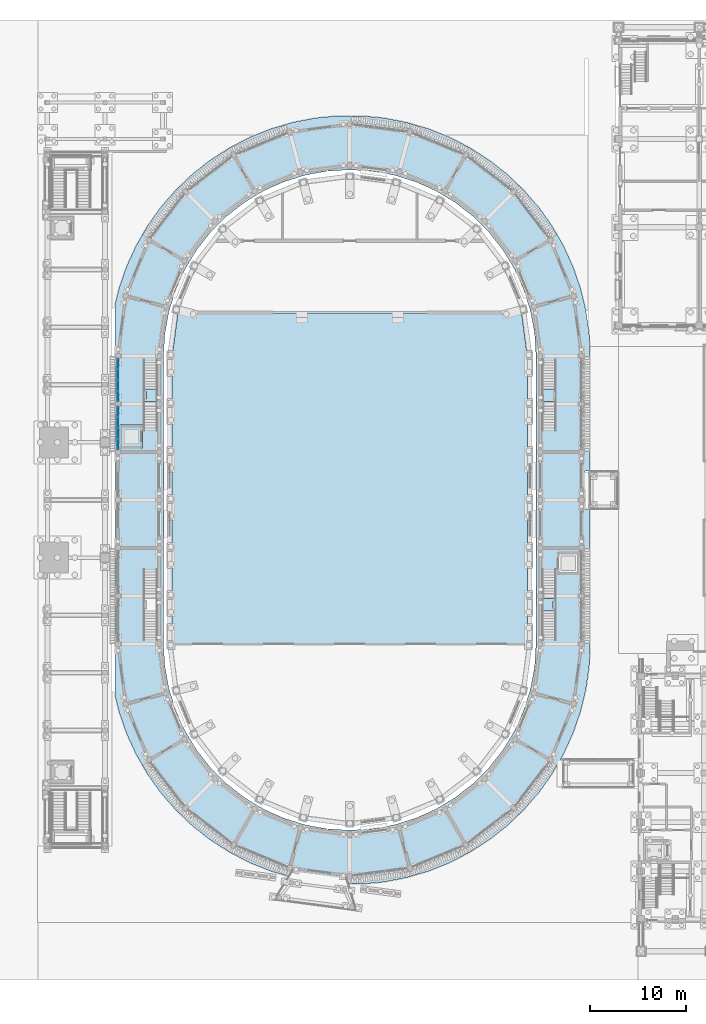
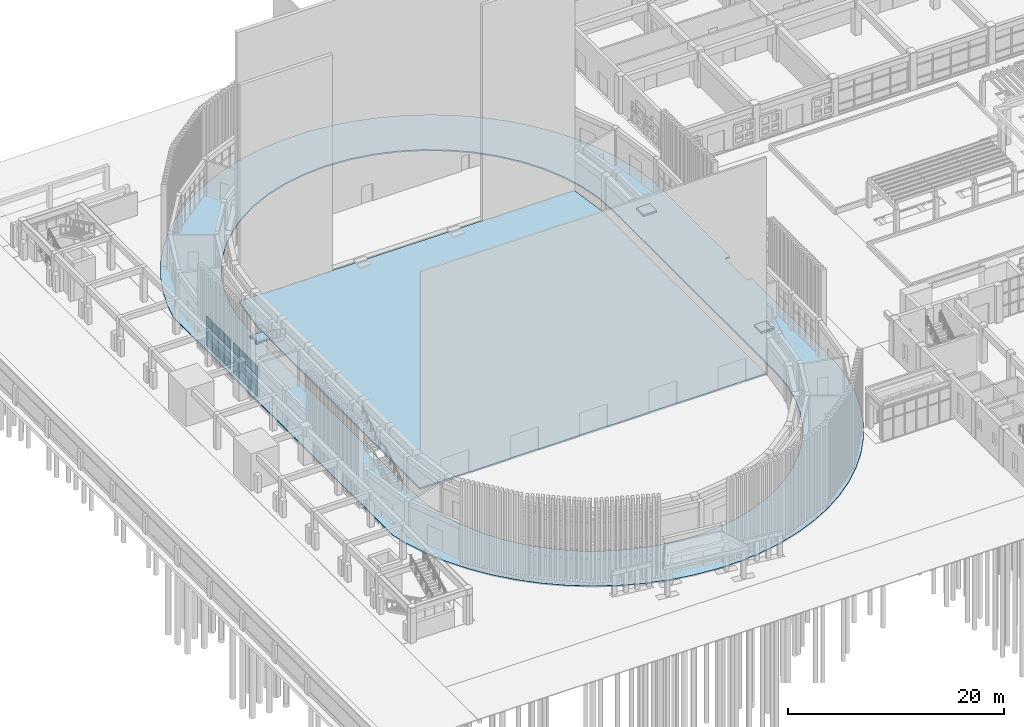
# One storey, part 49 of 112: 16 plates, 6 slabs, 5 elements without a shape of their own.
"""IFC4 building model written with IfcOpenShell, lengths in metres."""

from ifc_helpers import new_model, si_unit, direction, frame, origin, origin_2d, place, context, subcontext, project, spatial, polyline, rectangle, outline, extrude, material, layer, layer_set, type_object, element, aggregate, save


model = new_model("IFC4")

# Units and contexts
model_context = context("Model", 3, precision=1e-05, world=origin(), true_north=direction((0.0, 1.0)))
body_context = subcontext(model_context, "Body", "Model", "MODEL_VIEW")
ifc_project = project(units=[si_unit("LENGTHUNIT", "METRE"), si_unit("AREAUNIT", "SQUARE_METRE"), si_unit("VOLUMEUNIT", "CUBIC_METRE"), si_unit("PLANEANGLEUNIT", "RADIAN"), si_unit("MASSUNIT", "GRAM", prefix="KILO")], contexts=[model_context])

# Site, building, storey
site_placement = place(None, origin())
site = spatial("IfcSite", under=ifc_project, at=site_placement, CompositionType="ELEMENT")
building_placement = place(site_placement, origin())
building = spatial("IfcBuilding", under=site, at=building_placement, Name="Wasatch Bagh Community Centre", CompositionType="ELEMENT")
storey_placement = place(building_placement, origin())
storey = spatial("IfcBuildingStorey", under=building, at=storey_placement, Name="L00", CompositionType="ELEMENT", Elevation=0.0)

# Curtain wall, plates
ifc_material_1 = material(Name="Aluminium curtain wall frame with low-iron insulated glass", Category="aluminium")
ifc_layer_1 = layer(ifc_material_1, 0.14990234375)
ifc_layer_set_1 = layer_set([ifc_layer_1], Name="Aluminium curtain wall frame with low-iron insulated glass")
curtain_wall_type = type_object("IfcCurtainWallType", Name="Drum curtain wall DR-CW3", PredefinedType="NOTDEFINED", material=ifc_layer_set_1)
curtain_wall_1_placement = place(storey_placement, origin())
curtain_wall_1 = element("IfcCurtainWall", 1, at=curtain_wall_1_placement, inside=storey, type_object=curtain_wall_type, Name="Curtain wall DR-CW3 31", PredefinedType="NOTDEFINED")
ifc_material_2 = material(Name="Low-iron insulated glass", Category="glass")
ifc_layer_2 = layer(ifc_material_2, 0.028076171875)
ifc_layer_set_2 = layer_set([ifc_layer_2], Name="Low-iron insulated glass")
plate_type = type_object("IfcPlateType", Name="Drum glass panel DR-CW3", PredefinedType="CURTAIN_PANEL", material=ifc_layer_set_2)
plate_1_placement = place(storey_placement, frame((11.85009765625, 64.172119140625, 0.06005859375), z_axis=(0.0, 0.0, 1.0), x_axis=(0.0, -1.0, 0.0)))
plate_1 = element("IfcPlate", 2, at=plate_1_placement, type_object=plate_type, Name="DR-CW3 panel 1.1", PredefinedType="CURTAIN_PANEL", context=body_context, shape_type="SweptSolid", body=[
    extrude(rectangle(XDim=1.03466796875, YDim=0.028076171875, at=origin_2d()), origin(), (0.0, 0.0, 1.0), 2.31005859375),
])
plate_2_placement = place(storey_placement, frame((11.85009765625, 64.172119140625, 2.43017578125), z_axis=(0.0, 0.0, 1.0), x_axis=(0.0, -1.0, 0.0)))
plate_2 = element("IfcPlate", 3, at=plate_2_placement, type_object=plate_type, Name="DR-CW3 panel 1.2", PredefinedType="CURTAIN_PANEL", context=body_context, shape_type="SweptSolid", body=[
    extrude(rectangle(XDim=1.03466796875, YDim=0.028076171875, at=origin_2d()), origin(), (0.0, 0.0, 1.0), 1.010009765625),
])
plate_3_placement = place(storey_placement, frame((11.85009765625, 63.062255859375, 0.06005859375), z_axis=(0.0, 0.0, 1.0), x_axis=(0.0, -1.0, 0.0)))
plate_3 = element("IfcPlate", 4, at=plate_3_placement, type_object=plate_type, Name="DR-CW3 panel 2.1", PredefinedType="CURTAIN_PANEL", context=body_context, shape_type="SweptSolid", body=[
    extrude(rectangle(XDim=1.064697265625, YDim=0.028076171875, at=origin_2d()), origin(), (0.0, 0.0, 1.0), 2.31005859375),
])
plate_4_placement = place(storey_placement, frame((11.85009765625, 63.062255859375, 2.43017578125), z_axis=(0.0, 0.0, 1.0), x_axis=(0.0, -1.0, 0.0)))
plate_4 = element("IfcPlate", 5, at=plate_4_placement, type_object=plate_type, Name="DR-CW3 panel 2.2", PredefinedType="CURTAIN_PANEL", context=body_context, shape_type="SweptSolid", body=[
    extrude(rectangle(XDim=1.064697265625, YDim=0.028076171875, at=origin_2d()), origin(), (0.0, 0.0, 1.0), 1.010009765625),
])
plate_5_placement = place(storey_placement, frame((11.85009765625, 61.937744140625, 0.06005859375), z_axis=(0.0, 0.0, 1.0), x_axis=(0.0, -1.0, 0.0)))
plate_5 = element("IfcPlate", 6, at=plate_5_placement, type_object=plate_type, Name="DR-CW3 panel 3.1", PredefinedType="CURTAIN_PANEL", context=body_context, shape_type="SweptSolid", body=[
    extrude(rectangle(XDim=1.064697265625, YDim=0.028076171875, at=origin_2d()), origin(), (0.0, 0.0, 1.0), 2.31005859375),
])
plate_6_placement = place(storey_placement, frame((11.85009765625, 61.937744140625, 2.43017578125), z_axis=(0.0, 0.0, 1.0), x_axis=(0.0, -1.0, 0.0)))
plate_6 = element("IfcPlate", 7, at=plate_6_placement, type_object=plate_type, Name="DR-CW3 panel 3.2", PredefinedType="CURTAIN_PANEL", context=body_context, shape_type="SweptSolid", body=[
    extrude(rectangle(XDim=1.064697265625, YDim=0.028076171875, at=origin_2d()), origin(), (0.0, 0.0, 1.0), 1.010009765625),
])
plate_7_placement = place(storey_placement, frame((11.85009765625, 60.827880859375, 0.06005859375), z_axis=(0.0, 0.0, 1.0), x_axis=(0.0, -1.0, 0.0)))
plate_7 = element("IfcPlate", 8, at=plate_7_placement, type_object=plate_type, Name="DR-CW3 panel 4.1", PredefinedType="CURTAIN_PANEL", context=body_context, shape_type="SweptSolid", body=[
    extrude(rectangle(XDim=1.03466796875, YDim=0.028076171875, at=origin_2d()), origin(), (0.0, 0.0, 1.0), 2.31005859375),
])
plate_8_placement = place(storey_placement, frame((11.85009765625, 60.827880859375, 2.43017578125), z_axis=(0.0, 0.0, 1.0), x_axis=(0.0, -1.0, 0.0)))
plate_8 = element("IfcPlate", 9, at=plate_8_placement, type_object=plate_type, Name="DR-CW3 panel 4.2", PredefinedType="CURTAIN_PANEL", context=body_context, shape_type="SweptSolid", body=[
    extrude(rectangle(XDim=1.03466796875, YDim=0.028076171875, at=origin_2d()), origin(), (0.0, 0.0, 1.0), 1.010009765625),
])
aggregate(curtain_wall_1, [plate_1, plate_2, plate_3, plate_4, plate_5, plate_6, plate_7, plate_8])

curtain_wall_2_placement = place(storey_placement, origin())
curtain_wall_2 = element("IfcCurtainWall", 10, at=curtain_wall_2_placement, inside=storey, type_object=curtain_wall_type, Name="Curtain wall DR-CW3 32", PredefinedType="NOTDEFINED")
plate_9_placement = place(storey_placement, frame((11.85009765625, 59.172119140625, 0.06005859375), z_axis=(0.0, 0.0, 1.0), x_axis=(0.0, -1.0, 0.0)))
plate_9 = element("IfcPlate", 11, at=plate_9_placement, type_object=plate_type, Name="DR-CW3 panel 1.1", PredefinedType="CURTAIN_PANEL", context=body_context, shape_type="SweptSolid", body=[
    extrude(rectangle(XDim=1.03466796875, YDim=0.028076171875, at=origin_2d()), origin(), (0.0, 0.0, 1.0), 2.31005859375),
])
plate_10_placement = place(storey_placement, frame((11.85009765625, 59.172119140625, 2.43017578125), z_axis=(0.0, 0.0, 1.0), x_axis=(0.0, -1.0, 0.0)))
plate_10 = element("IfcPlate", 12, at=plate_10_placement, type_object=plate_type, Name="DR-CW3 panel 1.2", PredefinedType="CURTAIN_PANEL", context=body_context, shape_type="SweptSolid", body=[
    extrude(rectangle(XDim=1.03466796875, YDim=0.028076171875, at=origin_2d()), origin(), (0.0, 0.0, 1.0), 1.010009765625),
])
plate_11_placement = place(storey_placement, frame((11.85009765625, 58.062255859375, 0.06005859375), z_axis=(0.0, 0.0, 1.0), x_axis=(0.0, -1.0, 0.0)))
plate_11 = element("IfcPlate", 13, at=plate_11_placement, type_object=plate_type, Name="DR-CW3 panel 2.1", PredefinedType="CURTAIN_PANEL", context=body_context, shape_type="SweptSolid", body=[
    extrude(rectangle(XDim=1.064697265625, YDim=0.028076171875, at=origin_2d()), origin(), (0.0, 0.0, 1.0), 2.31005859375),
])
plate_12_placement = place(storey_placement, frame((11.85009765625, 58.062255859375, 2.43017578125), z_axis=(0.0, 0.0, 1.0), x_axis=(0.0, -1.0, 0.0)))
plate_12 = element("IfcPlate", 14, at=plate_12_placement, type_object=plate_type, Name="DR-CW3 panel 2.2", PredefinedType="CURTAIN_PANEL", context=body_context, shape_type="SweptSolid", body=[
    extrude(rectangle(XDim=1.064697265625, YDim=0.028076171875, at=origin_2d()), origin(), (0.0, 0.0, 1.0), 1.010009765625),
])
plate_13_placement = place(storey_placement, frame((11.85009765625, 56.937744140625, 0.06005859375), z_axis=(0.0, 0.0, 1.0), x_axis=(0.0, -1.0, 0.0)))
plate_13 = element("IfcPlate", 15, at=plate_13_placement, type_object=plate_type, Name="DR-CW3 panel 3.1", PredefinedType="CURTAIN_PANEL", context=body_context, shape_type="SweptSolid", body=[
    extrude(rectangle(XDim=1.064697265625, YDim=0.028076171875, at=origin_2d()), origin(), (0.0, 0.0, 1.0), 2.31005859375),
])
plate_14_placement = place(storey_placement, frame((11.85009765625, 56.937744140625, 2.43017578125), z_axis=(0.0, 0.0, 1.0), x_axis=(0.0, -1.0, 0.0)))
plate_14 = element("IfcPlate", 16, at=plate_14_placement, type_object=plate_type, Name="DR-CW3 panel 3.2", PredefinedType="CURTAIN_PANEL", context=body_context, shape_type="SweptSolid", body=[
    extrude(rectangle(XDim=1.064697265625, YDim=0.028076171875, at=origin_2d()), origin(), (0.0, 0.0, 1.0), 1.010009765625),
])
plate_15_placement = place(storey_placement, frame((11.85009765625, 55.827880859375, 0.06005859375), z_axis=(0.0, 0.0, 1.0), x_axis=(0.0, -1.0, 0.0)))
plate_15 = element("IfcPlate", 17, at=plate_15_placement, type_object=plate_type, Name="DR-CW3 panel 4.1", PredefinedType="CURTAIN_PANEL", context=body_context, shape_type="SweptSolid", body=[
    extrude(rectangle(XDim=1.03466796875, YDim=0.028076171875, at=origin_2d()), origin(), (0.0, 0.0, 1.0), 2.31005859375),
])
plate_16_placement = place(storey_placement, frame((11.85009765625, 55.827880859375, 2.43017578125), z_axis=(0.0, 0.0, 1.0), x_axis=(0.0, -1.0, 0.0)))
plate_16 = element("IfcPlate", 18, at=plate_16_placement, type_object=plate_type, Name="DR-CW3 panel 4.2", PredefinedType="CURTAIN_PANEL", context=body_context, shape_type="SweptSolid", body=[
    extrude(rectangle(XDim=1.03466796875, YDim=0.028076171875, at=origin_2d()), origin(), (0.0, 0.0, 1.0), 1.010009765625),
])
aggregate(curtain_wall_2, [plate_9, plate_10, plate_11, plate_12, plate_13, plate_14, plate_15, plate_16])

# Slabs
ifc_material_3 = material(Name="Concrete C30", Category="concrete")
ifc_layer_3 = layer(ifc_material_3, 0.199951171875)
ifc_layer_set_3 = layer_set([ifc_layer_3], Name="Concrete C30")
slab_type_1 = type_object("IfcSlabType", Name="Drum lift pit slab 200", PredefinedType="BASESLAB", material=ifc_layer_set_3)
slab_1_placement = place(storey_placement, frame((0.0, 0.0, -0.949951171875)))
element("IfcSlab", 19, at=slab_1_placement, inside=storey, type_object=slab_type_1, Name="Lift pit slab NW", PredefinedType="BASESLAB", context=body_context, shape_type="SweptSolid", body=[
    extrude(outline(polyline([(14.425048828125, 57.800048828125), (12.02490234375, 57.800048828125), (12.02490234375, 55.39990234375), (14.425048828125, 55.39990234375), (14.425048828125, 57.800048828125)])), origin(), (0.0, 0.0, 1.0), 0.199951171875),
])
ifc_layer_4 = layer(ifc_material_3, 0.14990234375)
ifc_layer_set_4 = layer_set([ifc_layer_4], Name="Concrete C30")
slab_type_2 = type_object("IfcSlabType", Name="Drum slab on grade 150", PredefinedType="BASESLAB", material=ifc_layer_set_4)
slab_2_placement = place(storey_placement, frame((0.0, 0.0, -0.14990234375)))
element("IfcSlab", 20, at=slab_2_placement, inside=storey, type_object=slab_type_2, Name="Foyer slab on grade", PredefinedType="BASESLAB", context=body_context, shape_type="SweptSolid", body=[
    extrude(outline(polyline([(59.255615234375, 25.68994140625), (58.265380859375, 23.521484375), (57.073486328125, 21.456787109375), (55.690673828125, 19.51513671875), (54.12939453125, 17.71337890625), (52.404296875, 16.068603515625), (50.530517578125, 14.594970703125), (48.52490234375, 13.30615234375), (46.406005859375, 12.213623046875), (44.193115234375, 11.32763671875), (41.90576171875, 10.656005859375), (39.56494140625, 10.205078125), (37.19189453125, 9.978515625), (34.80810546875, 9.978515625), (32.43505859375, 10.205078125), (30.09423828125, 10.656005859375), (27.806884765625, 11.32763671875), (25.593994140625, 12.213623046875), (23.47509765625, 13.30615234375), (21.469482421875, 14.594970703125), (19.595703125, 16.068603515625), (17.87060546875, 17.71337890625), (16.309326171875, 19.51513671875), (14.926513671875, 21.456787109375), (13.734619140625, 23.521484375), (12.744384765625, 25.68994140625), (11.964599609375, 27.942626953125), (11.550048828125, 29.652099609375), (11.550048828125, 70.347900390625), (11.964599609375, 72.057373046875), (12.744384765625, 74.31005859375), (13.734619140625, 76.478515625), (14.926513671875, 78.543212890625), (16.309326171875, 80.48486328125), (17.87060546875, 82.28662109375), (19.595703125, 83.931396484375), (21.469482421875, 85.405029296875), (23.47509765625, 86.69384765625), (25.593994140625, 87.786376953125), (27.806884765625, 88.67236328125), (30.09423828125, 89.343994140625), (32.43505859375, 89.794921875), (34.80810546875, 90.021484375), (37.19189453125, 90.021484375), (39.56494140625, 89.794921875), (41.90576171875, 89.343994140625), (44.193115234375, 88.67236328125), (46.406005859375, 87.786376953125), (48.52490234375, 86.69384765625), (50.530517578125, 85.405029296875), (52.404296875, 83.931396484375), (54.12939453125, 82.28662109375), (55.690673828125, 80.48486328125), (57.073486328125, 78.543212890625), (58.265380859375, 76.478515625), (59.255615234375, 74.31005859375), (60.035400390625, 72.057373046875), (60.597412109375, 69.74072265625), (60.9365234375, 67.381103515625), (61.050048828125, 65.0), (61.050048828125, 53.0), (60.5, 53.0), (60.5, 49.0), (61.050048828125, 49.0), (61.050048828125, 35.0), (60.9365234375, 32.618896484375), (60.597412109375, 30.25927734375), (60.035400390625, 27.942626953125), (59.255615234375, 25.68994140625)]), holes=[polyline([(51.9658203125, 76.0205078125), (50.52099609375, 77.864501953125), (48.864501953125, 79.52099609375), (47.0205078125, 80.9658203125), (45.015625, 82.177734375), (42.87939453125, 83.139404296875), (40.642578125, 83.836181640625), (38.33837890625, 84.258544921875), (36.0, 84.39990234375), (33.66162109375, 84.258544921875), (31.357421875, 83.836181640625), (29.12060546875, 83.139404296875), (26.984375, 82.177734375), (24.9794921875, 80.9658203125), (23.135498046875, 79.52099609375), (21.47900390625, 77.864501953125), (20.0341796875, 76.0205078125), (18.822265625, 74.015625), (17.860595703125, 71.87939453125), (17.163818359375, 69.642578125), (16.741455078125, 67.33837890625), (16.60009765625, 65.0), (16.60009765625, 35.0), (16.741455078125, 32.66162109375), (17.163818359375, 30.357421875), (17.860595703125, 28.12060546875), (18.822265625, 25.984375), (20.0341796875, 23.9794921875), (21.47900390625, 22.135498046875), (23.135498046875, 20.47900390625), (24.9794921875, 19.0341796875), (26.984375, 17.822265625), (29.12060546875, 16.860595703125), (31.357421875, 16.163818359375), (33.66162109375, 15.741455078125), (36.0, 15.60009765625), (38.33837890625, 15.741455078125), (40.642578125, 16.163818359375), (42.87939453125, 16.860595703125), (45.015625, 17.822265625), (47.0205078125, 19.0341796875), (48.864501953125, 20.47900390625), (50.52099609375, 22.135498046875), (51.9658203125, 23.9794921875), (53.177734375, 25.984375), (54.139404296875, 28.12060546875), (54.836181640625, 30.357421875), (55.258544921875, 32.66162109375), (55.39990234375, 35.0), (55.39990234375, 65.0), (55.258544921875, 67.33837890625), (54.836181640625, 69.642578125), (54.139404296875, 71.87939453125), (53.177734375, 74.015625), (51.9658203125, 76.0205078125)])]), origin(), (0.0, 0.0, 1.0), 0.14990234375),
])

# Stair, slab
ifc_material_4 = material(Name="Concrete C35", Category="concrete")
stair_type = type_object("IfcStairType", Name="Drum stair 175 x 280", PredefinedType="STRAIGHT_RUN_STAIR", material=ifc_material_4)
stair_1_placement = place(storey_placement, origin())
stair_1 = element("IfcStair", 21, at=stair_1_placement, inside=storey, type_object=stair_type, Name="Stair SE0", PredefinedType="STRAIGHT_RUN_STAIR")
ifc_layer_5 = layer(ifc_material_4, 0.199951171875)
ifc_layer_set_5 = layer_set([ifc_layer_5], Name="Concrete C35")
slab_type_3 = type_object("IfcSlabType", Name="Drum stair landing 200", PredefinedType="LANDING", material=ifc_layer_set_5)
slab_3_placement = place(storey_placement, frame((0.0, 0.0, 1.89990234375)))
slab_3 = element("IfcSlab", 22, at=slab_3_placement, type_object=slab_type_3, Name="FST2 landing 1", PredefinedType="LANDING", context=body_context, shape_type="SweptSolid", body=[
    extrude(outline(polyline([(57.375, 38.4599609375), (55.97509765625, 38.4599609375), (55.97509765625, 39.75), (57.375, 39.75), (57.375, 39.47998046875), (57.175048828125, 39.47998046875), (57.175048828125, 38.679931640625), (57.375, 38.679931640625), (57.375, 38.4599609375)])), origin(), (0.0, 0.0, 1.0), 0.2001953125),
])
aggregate(stair_1, [slab_3])

stair_2_placement = place(storey_placement, origin())
stair_2 = element("IfcStair", 23, at=stair_2_placement, inside=storey, type_object=stair_type, Name="Stair NE0", PredefinedType="STRAIGHT_RUN_STAIR")
slab_4_placement = place(storey_placement, frame((0.0, 0.0, 1.89990234375)))
slab_4 = element("IfcSlab", 24, at=slab_4_placement, type_object=slab_type_3, Name="FST4 landing 1", PredefinedType="LANDING", context=body_context, shape_type="SweptSolid", body=[
    extrude(outline(polyline([(55.97509765625, 61.5400390625), (57.375, 61.5400390625), (57.375, 60.25), (55.97509765625, 60.25), (55.97509765625, 61.5400390625)])), origin(), (0.0, 0.0, 1.0), 0.2001953125),
])
aggregate(stair_2, [slab_4])

stair_3_placement = place(storey_placement, origin())
stair_3 = element("IfcStair", 25, at=stair_3_placement, inside=storey, type_object=stair_type, Name="Stair NW0", PredefinedType="STRAIGHT_RUN_STAIR")
slab_5_placement = place(storey_placement, frame((0.0, 0.0, 1.89990234375)))
slab_5 = element("IfcSlab", 26, at=slab_5_placement, type_object=slab_type_3, Name="FST5 landing 1", PredefinedType="LANDING", context=body_context, shape_type="SweptSolid", body=[
    extrude(outline(polyline([(14.625, 61.5400390625), (16.02490234375, 61.5400390625), (16.02490234375, 60.25), (14.625, 60.25), (14.625, 60.52001953125), (14.824951171875, 60.52001953125), (14.824951171875, 61.320068359375), (14.625, 61.320068359375), (14.625, 61.5400390625)])), origin(), (0.0, 0.0, 1.0), 0.2001953125),
])
aggregate(stair_3, [slab_5])

# Slab
ifc_layer_6 = layer(ifc_material_3, 0.199951171875)
ifc_layer_set_6 = layer_set([ifc_layer_6], Name="Concrete C30")
slab_type_4 = type_object("IfcSlabType", Name="MH slab on grade 200", PredefinedType="BASESLAB", material=ifc_layer_set_6)
slab_6_placement = place(storey_placement, frame((0.0, 0.0, -0.199951171875)))
element("IfcSlab", 27, at=slab_6_placement, inside=storey, type_object=slab_type_4, Name="Capsule slab on grade 2", PredefinedType="BASESLAB", context=body_context, shape_type="SweptSolid", body=[
    extrude(outline(polyline([(17.5048828125, 64.9833984375), (18.097900390625, 69.487548828125), (53.902099609375, 69.487548828125), (54.4951171875, 64.9833984375), (54.4951171875, 35.0166015625), (54.494384765625, 35.012451171875), (17.505615234375, 35.012451171875), (17.5048828125, 35.0166015625), (17.5048828125, 64.9833984375)])), origin(), (0.0, 0.0, 1.0), 0.199951171875),
])

save(model, "model.ifc")
